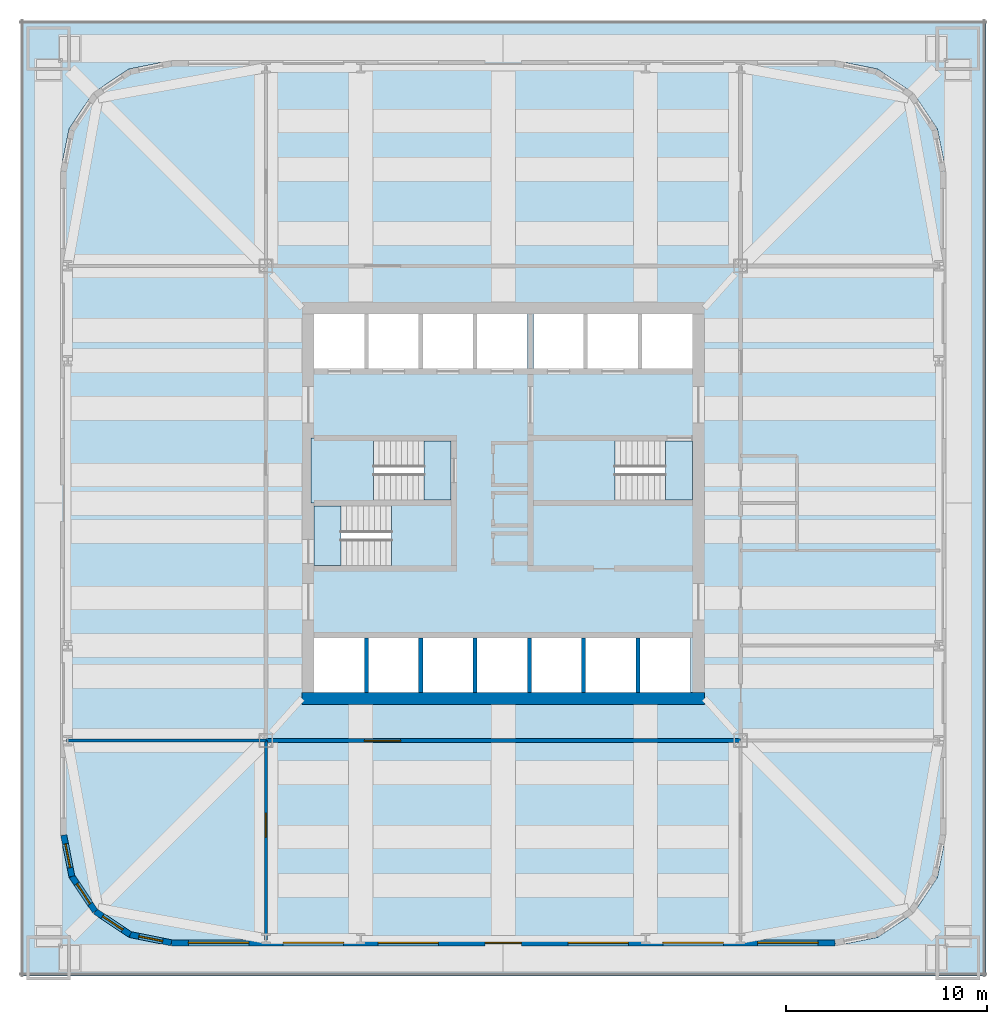
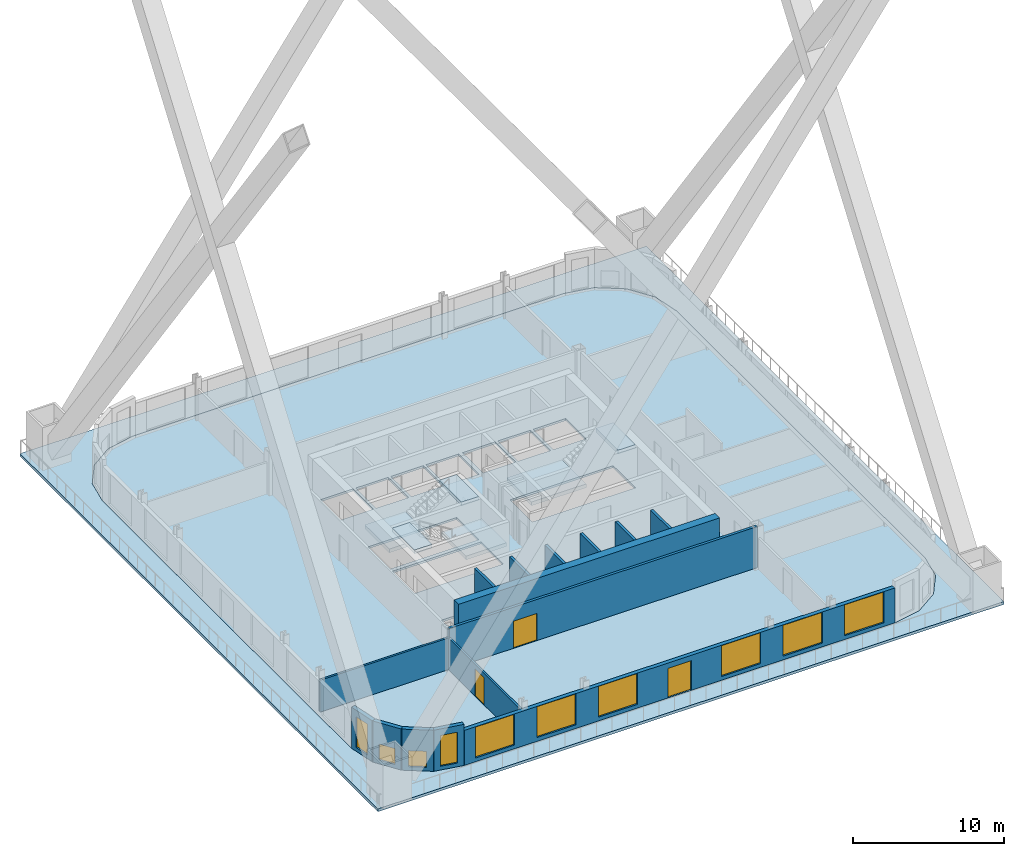
# One storey, part 2 of 7: 15 walls, 10 windows, 8 slabs, 3 doors, 13 openings, 3 elements without a shape of their own.
"""IFC4 building model written with IfcOpenShell, lengths in metres."""

from ifc_helpers import new_model, si_unit, direction, frame, frame_2d, origin, place, context, subcontext, project, spatial, polyline, rectangle, outline, extrude, material, layer, layer_set, type_object, element, fill, aggregate, save


model = new_model("IFC4")

# Units and contexts
model_context = context("Model", 3, precision=1e-05, world=origin(), true_north=direction((0.0, 1.0)))
body_context = subcontext(model_context, "Body", "Model", "MODEL_VIEW")
ifc_project = project(units=[si_unit("LENGTHUNIT", "METRE"), si_unit("AREAUNIT", "SQUARE_METRE"), si_unit("VOLUMEUNIT", "CUBIC_METRE"), si_unit("PLANEANGLEUNIT", "RADIAN"), si_unit("MASSUNIT", "GRAM", prefix="KILO")], contexts=[model_context])

# Site, building, storey
site_placement = place(None, origin())
site = spatial("IfcSite", under=ifc_project, at=site_placement, CompositionType="ELEMENT")
building_placement = place(site_placement, origin())
building = spatial("IfcBuilding", under=site, at=building_placement, Name="Turquesa Mirador Hotel Tower", CompositionType="ELEMENT")
storey_placement = place(building_placement, frame((0.0, 0.0, 25.0)))
storey = spatial("IfcBuildingStorey", under=building, at=storey_placement, Name="L05", CompositionType="ELEMENT", Elevation=25.0)

# Slab
ifc_material_1 = material(Name="Concrete C28/35", Category="concrete")
ifc_layer_1 = layer(ifc_material_1, 0.169921875)
ifc_layer_set_1 = layer_set([ifc_layer_1], Name="COMPOSITE FLOOR SLAB 170")
slab_type_1 = type_object("IfcSlabType", Name="COMPOSITE FLOOR SLAB 170", PredefinedType="FLOOR", material=ifc_layer_set_1)
slab_1_placement = place(storey_placement, frame((0.0, 0.0, -0.169921875)))
element("IfcSlab", 1, at=slab_1_placement, inside=storey, type_object=slab_type_1, Name="Floor slab L05", PredefinedType="FLOOR", context=body_context, shape_type="SweptSolid", body=[
    extrude(outline(polyline([(71.5, 23.0), (73.604736328125, 23.418701171875), (75.38916015625, 24.61083984375), (76.581298828125, 26.395263671875), (77.0, 28.5), (77.0, 61.5), (76.581298828125, 63.604736328125), (75.38916015625, 65.38916015625), (73.604736328125, 66.581298828125), (71.5, 67.0), (38.5, 67.0), (36.395263671875, 66.581298828125), (34.61083984375, 65.38916015625), (33.418701171875, 63.604736328125), (33.0, 61.5), (33.0, 28.5), (33.418701171875, 26.395263671875), (34.61083984375, 24.61083984375), (36.395263671875, 23.418701171875), (38.5, 23.0), (71.5, 23.0)]), holes=[polyline([(45.60009765625, 51.699951171875), (48.10009765625, 51.699951171875), (48.10009765625, 54.39990234375), (45.60009765625, 54.39990234375), (45.60009765625, 51.699951171875)]), polyline([(48.300048828125, 51.699951171875), (50.800048828125, 51.699951171875), (50.800048828125, 54.39990234375), (48.300048828125, 54.39990234375), (48.300048828125, 51.699951171875)]), polyline([(51.0, 51.699951171875), (53.5, 51.699951171875), (53.5, 54.39990234375), (51.0, 54.39990234375), (51.0, 51.699951171875)]), polyline([(53.699951171875, 51.699951171875), (56.199951171875, 51.699951171875), (56.199951171875, 54.39990234375), (53.699951171875, 54.39990234375), (53.699951171875, 51.699951171875)]), polyline([(56.5, 51.699951171875), (59.0, 51.699951171875), (59.0, 54.39990234375), (56.5, 54.39990234375), (56.5, 51.699951171875)]), polyline([(59.199951171875, 51.699951171875), (61.699951171875, 51.699951171875), (61.699951171875, 54.39990234375), (59.199951171875, 54.39990234375), (59.199951171875, 51.699951171875)]), polyline([(45.60009765625, 35.60009765625), (48.10009765625, 35.60009765625), (48.10009765625, 38.300048828125), (45.60009765625, 38.300048828125), (45.60009765625, 35.60009765625)]), polyline([(48.300048828125, 35.60009765625), (50.800048828125, 35.60009765625), (50.800048828125, 38.300048828125), (48.300048828125, 38.300048828125), (48.300048828125, 35.60009765625)]), polyline([(51.0, 35.60009765625), (53.5, 35.60009765625), (53.5, 38.300048828125), (51.0, 38.300048828125), (51.0, 35.60009765625)]), polyline([(53.699951171875, 35.60009765625), (56.199951171875, 35.60009765625), (56.199951171875, 38.300048828125), (53.699951171875, 38.300048828125), (53.699951171875, 35.60009765625)]), polyline([(56.39990234375, 35.60009765625), (58.89990234375, 35.60009765625), (58.89990234375, 38.300048828125), (56.39990234375, 38.300048828125), (56.39990234375, 35.60009765625)]), polyline([(59.10009765625, 35.60009765625), (61.60009765625, 35.60009765625), (61.60009765625, 38.300048828125), (59.10009765625, 38.300048828125), (59.10009765625, 35.60009765625)]), polyline([(61.800048828125, 35.60009765625), (64.300048828125, 35.60009765625), (64.300048828125, 38.300048828125), (61.800048828125, 38.300048828125), (61.800048828125, 35.60009765625)]), polyline([(45.60009765625, 45.14990234375), (52.39990234375, 45.14990234375), (52.39990234375, 48.10009765625), (45.60009765625, 48.10009765625), (45.60009765625, 45.14990234375)]), polyline([(45.60009765625, 41.89990234375), (52.39990234375, 41.89990234375), (52.39990234375, 44.85009765625), (45.60009765625, 44.85009765625), (45.60009765625, 41.89990234375)]), polyline([(56.5, 45.14990234375), (64.39990234375, 45.14990234375), (64.39990234375, 48.10009765625), (56.5, 48.10009765625), (56.5, 45.14990234375)]), polyline([(61.89990234375, 51.699951171875), (64.39990234375, 51.699951171875), (64.39990234375, 54.39990234375), (61.89990234375, 54.39990234375), (61.89990234375, 51.699951171875)])]), origin(), (0.0, 0.0, 1.0), 0.169921875),
])

# Stair, slabs
ifc_material_2 = material(Name="Concrete C35/45", Category="concrete")
stair_type = type_object("IfcStairType", Name="ESCAPE STAIR CORE", PredefinedType="HALF_TURN_STAIR", material=ifc_material_2)
stair_1_placement = place(storey_placement, origin())
stair_1 = element("IfcStair", 2, at=stair_1_placement, inside=storey, type_object=stair_type, Name="Stair ST1 L05 to L06", PredefinedType="HALF_TURN_STAIR")
ifc_material_3 = material(Name="Concrete C35/45", Category="concrete")
ifc_layer_2 = layer(ifc_material_3, 0.300048828125)
ifc_layer_set_2 = layer_set([ifc_layer_2], Name="STAIR LANDING 300")
slab_type_2 = type_object("IfcSlabType", Name="STAIR LANDING 300", PredefinedType="LANDING", material=ifc_layer_set_2)
slab_2_placement = place(storey_placement, frame((0.0, 0.0, 1.449951171875)))
slab_2 = element("IfcSlab", 3, at=slab_2_placement, type_object=slab_type_2, Name="ST1 landing 1", PredefinedType="LANDING", context=body_context, shape_type="SweptSolid", body=[
    extrude(outline(polyline([(45.449951171875, 45.0), (48.550048828125, 45.0), (48.550048828125, 48.25), (45.449951171875, 48.25), (45.449951171875, 45.0)])), origin(), (0.0, 0.0, 1.0), 0.300048828125),
])
slab_3_placement = place(storey_placement, frame((0.0, 0.0, 3.199951171875)))
slab_3 = element("IfcSlab", 4, at=slab_3_placement, type_object=slab_type_2, Name="ST1 landing 2", PredefinedType="LANDING", context=body_context, shape_type="SweptSolid", body=[
    extrude(outline(polyline([(51.070068359375, 45.14990234375), (52.39990234375, 45.14990234375), (52.39990234375, 48.10009765625), (51.070068359375, 48.10009765625), (51.070068359375, 45.14990234375)])), origin(), (0.0, 0.0, 1.0), 0.300048828125),
])
aggregate(stair_1, [slab_2, slab_3])

stair_2_placement = place(storey_placement, origin())
stair_2 = element("IfcStair", 5, at=stair_2_placement, inside=storey, type_object=stair_type, Name="Stair ST2 L05 to L06", PredefinedType="HALF_TURN_STAIR")
slab_4_placement = place(storey_placement, frame((0.0, 0.0, 1.449951171875)))
slab_4 = element("IfcSlab", 6, at=slab_4_placement, type_object=slab_type_2, Name="ST2 landing 1", PredefinedType="LANDING", context=body_context, shape_type="SweptSolid", body=[
    extrude(outline(polyline([(52.550048828125, 45.0), (49.449951171875, 45.0), (49.449951171875, 41.75), (52.550048828125, 41.75), (52.550048828125, 45.0)])), origin(), (0.0, 0.0, 1.0), 0.300048828125),
])
slab_5_placement = place(storey_placement, frame((0.0, 0.0, 3.199951171875)))
slab_5 = element("IfcSlab", 7, at=slab_5_placement, type_object=slab_type_2, Name="ST2 landing 2", PredefinedType="LANDING", context=body_context, shape_type="SweptSolid", body=[
    extrude(outline(polyline([(46.929931640625, 44.85009765625), (45.60009765625, 44.85009765625), (45.60009765625, 41.89990234375), (46.929931640625, 41.89990234375), (46.929931640625, 44.85009765625)])), origin(), (0.0, 0.0, 1.0), 0.300048828125),
])
aggregate(stair_2, [slab_4, slab_5])

stair_3_placement = place(storey_placement, origin())
stair_3 = element("IfcStair", 8, at=stair_3_placement, inside=storey, type_object=stair_type, Name="Stair ST3 L05 to L06", PredefinedType="HALF_TURN_STAIR")
slab_6_placement = place(storey_placement, frame((0.0, 0.0, 1.449951171875)))
slab_6 = element("IfcSlab", 9, at=slab_6_placement, type_object=slab_type_2, Name="ST3 landing 1", PredefinedType="LANDING", context=body_context, shape_type="SweptSolid", body=[
    extrude(outline(polyline([(56.35009765625, 45.0), (60.550048828125, 45.0), (60.550048828125, 48.25), (56.35009765625, 48.25), (56.35009765625, 45.0)])), origin(), (0.0, 0.0, 1.0), 0.300048828125),
])
slab_7_placement = place(storey_placement, frame((0.0, 0.0, 3.199951171875)))
slab_7 = element("IfcSlab", 10, at=slab_7_placement, type_object=slab_type_2, Name="ST3 landing 2", PredefinedType="LANDING", context=body_context, shape_type="SweptSolid", body=[
    extrude(outline(polyline([(63.070068359375, 45.14990234375), (64.39990234375, 45.14990234375), (64.39990234375, 48.10009765625), (63.070068359375, 48.10009765625), (63.070068359375, 45.14990234375)])), origin(), (0.0, 0.0, 1.0), 0.300048828125),
])
aggregate(stair_3, [slab_6, slab_7])

# Slab
ifc_material_4 = material(Name="Concrete C35/45 with stone paving", Category="masonry")
ifc_layer_3 = layer(ifc_material_4, 0.219970703125)
ifc_layer_set_3 = layer_set([ifc_layer_3], Name="TERRACE SLAB 220")
slab_type_3 = type_object("IfcSlabType", Name="TERRACE SLAB 220", PredefinedType="ROOF", material=ifc_layer_set_3)
slab_8_placement = place(storey_placement, frame((0.0, 0.0, -0.219970703125)))
element("IfcSlab", 11, at=slab_8_placement, inside=storey, type_object=slab_type_3, Name="Garden terrace", PredefinedType="ROOF", context=body_context, shape_type="SweptSolid", body=[
    extrude(outline(polyline([(31.0, 21.5), (31.0, 69.0), (79.0, 69.0), (79.0, 21.5), (31.0, 21.5)]), holes=[polyline([(73.604736328125, 23.418701171875), (75.38916015625, 24.61083984375), (76.581298828125, 26.395263671875), (77.0, 28.5), (77.0, 61.5), (76.581298828125, 63.604736328125), (75.38916015625, 65.38916015625), (73.604736328125, 66.581298828125), (71.5, 67.0), (38.5, 67.0), (36.395263671875, 66.581298828125), (34.61083984375, 65.38916015625), (33.418701171875, 63.604736328125), (33.0, 61.5), (33.0, 28.5), (33.418701171875, 26.395263671875), (34.61083984375, 24.61083984375), (36.395263671875, 23.418701171875), (38.5, 23.0), (71.5, 23.0), (73.604736328125, 23.418701171875)])]), origin(), (0.0, 0.0, 1.0), 0.219970703125),
])

# Wall
ifc_material_5 = material(Name="Concrete C50/60", Category="concrete")
ifc_layer_4 = layer(ifc_material_5, 0.60009765625)
ifc_layer_set_4 = layer_set([ifc_layer_4], Name="CORE WALL 600")
wall_type_1 = type_object("IfcWallType", Name="CORE WALL 600", PredefinedType="SHEAR", material=ifc_layer_set_4)
wall_1_placement = place(storey_placement, frame((45.0, 35.300048828125, 0.0), z_axis=(0.0, 0.0, 1.0), x_axis=(1.0, 0.0, 0.0)))
element("IfcWall", 12, at=wall_1_placement, inside=storey, type_object=wall_type_1, Name="Core wall S", PredefinedType="SHEAR", context=body_context, shape_type="SweptSolid", body=[
    extrude(rectangle(XDim=20.0, YDim=0.60009765625, at=frame_2d((10.0, 0.0))), origin(), (0.0, 0.0, 1.0), 3.5),
])

# Wall, opening, door
ifc_material_6 = material(Name="Fire-rated gypsum board on steel studs", Category="steel")
ifc_layer_5 = layer(ifc_material_6, 0.199951171875)
ifc_layer_set_5 = layer_set([ifc_layer_5], Name="CORRIDOR WALL 200")
wall_type_2 = type_object("IfcWallType", Name="CORRIDOR WALL 200", PredefinedType="PARTITIONING", material=ifc_layer_set_5)
wall_2_placement = place(storey_placement, frame((43.199951171875, 33.199951171875, 0.0), z_axis=(0.0, 0.0, 1.0), x_axis=(1.0, 0.0, 0.0)))
wall_2 = element("IfcWall", 13, at=wall_2_placement, inside=storey, type_object=wall_type_2, Name="Partition L05 001", PredefinedType="PARTITIONING", context=body_context, shape_type="SweptSolid", body=[
    extrude(rectangle(XDim=23.60009765625, YDim=0.199951171875, at=frame_2d((11.800048828125, 0.0))), origin(), (0.0, 0.0, 1.0), 3.330078125),
])
opening_1_placement = place(wall_2_placement, frame((4.89990234375, 0.0, 0.0)))
opening_1 = element("IfcOpeningElement", 14, at=opening_1_placement, cuts=wall_2, Name="Opening D04", PredefinedType="OPENING", context=body_context, shape_type="SweptSolid", body=[
    extrude(rectangle(XDim=1.800048828125, YDim=2.199951171875, at=frame_2d((0.89990234375, 1.10009765625))), frame((0.0, 0.10986328125, 0.0), z_axis=(0.0, -1.0, 0.0), x_axis=(1.0, 0.0, 0.0)), (0.0, 0.0, 1.0), 0.219970703125),
])
ifc_material_7 = material(Name="Steel fire door pair", Category="steel")
door_type_1 = type_object("IfcDoorType", Name="DOOR 1800X2200 PAIR", OperationType="DOUBLE_DOOR_SINGLE_SWING", PredefinedType="DOOR", material=ifc_material_7)
door_1_placement = place(opening_1_placement, origin())
door_1 = element("IfcDoor", 15, at=door_1_placement, inside=storey, type_object=door_type_1, Name="Door L05-02", OperationType="DOUBLE_DOOR_SINGLE_SWING", OverallHeight=2.199951171875, OverallWidth=1.800048828125, PredefinedType="DOOR", context=body_context, shape_type="SweptSolid", body=[
    extrude(rectangle(XDim=1.800048828125, YDim=2.199951171875, at=frame_2d((0.89990234375, 1.10009765625))), frame((0.0, 0.02490234375, 0.0), z_axis=(0.0, -1.0, 0.0), x_axis=(1.0, 0.0, 0.0)), (0.0, 0.0, 1.0), 0.050048828125),
])
fill(opening_1, door_1)

# Wall, opening, window
ifc_material_8 = material(Name="Limestone cladding on concrete block", Category="masonry")
ifc_layer_6 = layer(ifc_material_8, 0.300048828125)
ifc_layer_set_6 = layer_set([ifc_layer_6], Name="FACADE WALL 300 STONE SCREEN")
wall_type_3 = type_object("IfcWallType", Name="FACADE WALL 300 STONE SCREEN", PredefinedType="SOLIDWALL", material=ifc_layer_set_6)
wall_3_placement = place(storey_placement, frame((33.14990234375, 28.5, 0.0), z_axis=(0.0, 0.0, 1.0), x_axis=(0.195081421501, -0.980787050784, 0.0)))
wall_3 = element("IfcWall", 16, at=wall_3_placement, inside=storey, type_object=wall_type_3, Name="Facade wall L05 15", PredefinedType="SOLIDWALL", context=body_context, shape_type="SweptSolid", body=[
    extrude(rectangle(XDim=2.08740234375, YDim=0.300048828125, at=frame_2d((1.043701171875, 0.0))), origin(), (0.0, 0.0, 1.0), 3.330078125),
])
opening_2_placement = place(wall_3_placement, frame((0.443603515625, 0.0, 0.300048828125)))
opening_2 = element("IfcOpeningElement", 17, at=opening_2_placement, cuts=wall_3, Name="Opening WN6", PredefinedType="OPENING", context=body_context, shape_type="SweptSolid", body=[
    extrude(rectangle(XDim=1.199951171875, YDim=2.5, at=frame_2d((0.60009765625, 1.25))), frame((0.0, 0.159912109375, 0.0), z_axis=(0.0, -1.0, 0.0), x_axis=(1.0, 0.0, 0.0)), (0.0, 0.0, 1.0), 0.320068359375),
])
ifc_material_9 = material(Name="Ceramic-fritted laminated glass", Category="glass")
window_type_1 = type_object("IfcWindowType", Name="AMENITY CORNER WINDOW 1200X2500", PartitioningType="SINGLE_PANEL", PredefinedType="WINDOW", material=ifc_material_9)
window_1_placement = place(opening_2_placement, origin())
window_1 = element("IfcWindow", 18, at=window_1_placement, inside=storey, type_object=window_type_1, Name="Window L05", OverallHeight=2.5, OverallWidth=1.199951171875, PartitioningType="SINGLE_PANEL", PredefinedType="WINDOW", context=body_context, shape_type="SweptSolid", body=[
    extrude(rectangle(XDim=1.199951171875, YDim=2.5, at=frame_2d((0.60009765625, 1.25))), frame((0.0, 0.030029296875, 0.0), z_axis=(0.0, -1.0, 0.0), x_axis=(1.0, 0.0, 0.0)), (0.0, 0.0, 1.0), 0.06005859375),
])
fill(opening_2, window_1)

wall_4_placement = place(storey_placement, frame((33.55712890625, 26.45263671875, 0.0), z_axis=(0.0, 0.0, 1.0), x_axis=(0.555644460423, -0.831420010345, 0.0)))
wall_4 = element("IfcWall", 19, at=wall_4_placement, inside=storey, type_object=wall_type_3, Name="Facade wall L05 16", PredefinedType="SOLIDWALL", context=body_context, shape_type="SweptSolid", body=[
    extrude(rectangle(XDim=2.08740234375, YDim=0.300048828125, at=frame_2d((1.043701171875, 0.0))), origin(), (0.0, 0.0, 1.0), 3.330078125),
])
opening_3_placement = place(wall_4_placement, frame((0.443603515625, 0.0, 0.300048828125)))
opening_3 = element("IfcOpeningElement", 20, at=opening_3_placement, cuts=wall_4, Name="Opening WN9", PredefinedType="OPENING", context=body_context, shape_type="SweptSolid", body=[
    extrude(rectangle(XDim=1.199951171875, YDim=1.300048828125, at=frame_2d((0.60009765625, 0.64990234375))), frame((0.0, 0.159912109375, 0.0), z_axis=(0.0, -1.0, 0.0), x_axis=(1.0, 0.0, 0.0)), (0.0, 0.0, 1.0), 0.320068359375),
])
ifc_material_10 = material(Name="Ceramic-fritted laminated glass", Category="glass")
window_type_2 = type_object("IfcWindowType", Name="AMENITY CORNER WINDOW 1200X1300", PartitioningType="SINGLE_PANEL", PredefinedType="WINDOW", material=ifc_material_10)
window_2_placement = place(opening_3_placement, origin())
window_2 = element("IfcWindow", 21, at=window_2_placement, inside=storey, type_object=window_type_2, Name="Window L05", OverallHeight=1.300048828125, OverallWidth=1.199951171875, PartitioningType="SINGLE_PANEL", PredefinedType="WINDOW", context=body_context, shape_type="SweptSolid", body=[
    extrude(rectangle(XDim=1.199951171875, YDim=1.300048828125, at=frame_2d((0.60009765625, 0.64990234375))), frame((0.0, 0.030029296875, 0.0), z_axis=(0.0, -1.0, 0.0), x_axis=(1.0, 0.0, 0.0)), (0.0, 0.0, 1.0), 0.06005859375),
])
fill(opening_3, window_2)

wall_5_placement = place(storey_placement, frame((34.717041015625, 24.717041015625, 0.0), z_axis=(0.0, 0.0, 1.0), x_axis=(0.831420010345, -0.555644460423, 0.0)))
wall_5 = element("IfcWall", 22, at=wall_5_placement, inside=storey, type_object=wall_type_3, Name="Facade wall L05 17", PredefinedType="SOLIDWALL", context=body_context, shape_type="SweptSolid", body=[
    extrude(rectangle(XDim=2.08740234375, YDim=0.300048828125, at=frame_2d((1.043701171875, 0.0))), origin(), (0.0, 0.0, 1.0), 3.330078125),
])
opening_4_placement = place(wall_5_placement, frame((0.443603515625, 0.0, 0.300048828125)))
opening_4 = element("IfcOpeningElement", 23, at=opening_4_placement, cuts=wall_5, Name="Opening WN9", PredefinedType="OPENING", context=body_context, shape_type="SweptSolid", body=[
    extrude(rectangle(XDim=1.199951171875, YDim=1.300048828125, at=frame_2d((0.60009765625, 0.64990234375))), frame((0.0, 0.159912109375, 0.0), z_axis=(0.0, -1.0, 0.0), x_axis=(1.0, 0.0, 0.0)), (0.0, 0.0, 1.0), 0.320068359375),
])
window_3_placement = place(opening_4_placement, origin())
window_3 = element("IfcWindow", 24, at=window_3_placement, inside=storey, type_object=window_type_2, Name="Window L05", OverallHeight=1.300048828125, OverallWidth=1.199951171875, PartitioningType="SINGLE_PANEL", PredefinedType="WINDOW", context=body_context, shape_type="SweptSolid", body=[
    extrude(rectangle(XDim=1.199951171875, YDim=1.300048828125, at=frame_2d((0.60009765625, 0.64990234375))), frame((0.0, 0.030029296875, 0.0), z_axis=(0.0, -1.0, 0.0), x_axis=(1.0, 0.0, 0.0)), (0.0, 0.0, 1.0), 0.06005859375),
])
fill(opening_4, window_3)

wall_6_placement = place(storey_placement, frame((36.45263671875, 23.55712890625, 0.0), z_axis=(0.0, 0.0, 1.0), x_axis=(0.980787050784, -0.195081421501, 0.0)))
wall_6 = element("IfcWall", 25, at=wall_6_placement, inside=storey, type_object=wall_type_3, Name="Facade wall L05 18", PredefinedType="SOLIDWALL", context=body_context, shape_type="SweptSolid", body=[
    extrude(rectangle(XDim=2.08740234375, YDim=0.300048828125, at=frame_2d((1.043701171875, 0.0))), origin(), (0.0, 0.0, 1.0), 3.330078125),
])
opening_5_placement = place(wall_6_placement, frame((0.443603515625, 0.0, 0.300048828125)))
opening_5 = element("IfcOpeningElement", 26, at=opening_5_placement, cuts=wall_6, Name="Opening WN6", PredefinedType="OPENING", context=body_context, shape_type="SweptSolid", body=[
    extrude(rectangle(XDim=1.199951171875, YDim=2.5, at=frame_2d((0.60009765625, 1.25))), frame((0.0, 0.159912109375, 0.0), z_axis=(0.0, -1.0, 0.0), x_axis=(1.0, 0.0, 0.0)), (0.0, 0.0, 1.0), 0.320068359375),
])
window_4_placement = place(opening_5_placement, origin())
window_4 = element("IfcWindow", 27, at=window_4_placement, inside=storey, type_object=window_type_1, Name="Window L05", OverallHeight=2.5, OverallWidth=1.199951171875, PartitioningType="SINGLE_PANEL", PredefinedType="WINDOW", context=body_context, shape_type="SweptSolid", body=[
    extrude(rectangle(XDim=1.199951171875, YDim=2.5, at=frame_2d((0.60009765625, 1.25))), frame((0.0, 0.030029296875, 0.0), z_axis=(0.0, -1.0, 0.0), x_axis=(1.0, 0.0, 0.0)), (0.0, 0.0, 1.0), 0.06005859375),
])
fill(opening_5, window_4)

# Wall, openings, windows, door
wall_7_placement = place(storey_placement, frame((38.5, 23.14990234375, 0.0), z_axis=(0.0, 0.0, 1.0), x_axis=(1.0, 0.0, 0.0)))
wall_7 = element("IfcWall", 28, at=wall_7_placement, inside=storey, type_object=wall_type_3, Name="Facade wall L05 19", PredefinedType="SOLIDWALL", context=body_context, shape_type="SweptSolid", body=[
    extrude(rectangle(XDim=33.0, YDim=0.300048828125, at=frame_2d((16.5, 0.0))), origin(), (0.0, 0.0, 1.0), 2.830078125),
])
opening_6_placement = place(wall_7_placement, frame((0.85009765625, 0.0, 0.300048828125)))
opening_6 = element("IfcOpeningElement", 29, at=opening_6_placement, cuts=wall_7, Name="Opening WN5", PredefinedType="OPENING", context=body_context, shape_type="SweptSolid", body=[
    extrude(rectangle(XDim=3.0, YDim=2.5, at=frame_2d((1.5, 1.25))), frame((0.0, 0.159912109375, 0.0), z_axis=(0.0, -1.0, 0.0), x_axis=(1.0, 0.0, 0.0)), (0.0, 0.0, 1.0), 0.320068359375),
])
opening_7_placement = place(wall_7_placement, frame((5.56005859375, 0.0, 0.300048828125)))
opening_7 = element("IfcOpeningElement", 30, at=opening_7_placement, cuts=wall_7, Name="Opening WN5", PredefinedType="OPENING", context=body_context, shape_type="SweptSolid", body=[
    extrude(rectangle(XDim=3.0, YDim=2.5, at=frame_2d((1.5, 1.25))), frame((0.0, 0.159912109375, 0.0), z_axis=(0.0, -1.0, 0.0), x_axis=(1.0, 0.0, 0.0)), (0.0, 0.0, 1.0), 0.320068359375),
])
opening_8_placement = place(wall_7_placement, frame((10.280029296875, 0.0, 0.300048828125)))
opening_8 = element("IfcOpeningElement", 31, at=opening_8_placement, cuts=wall_7, Name="Opening WN5", PredefinedType="OPENING", context=body_context, shape_type="SweptSolid", body=[
    extrude(rectangle(XDim=3.0, YDim=2.5, at=frame_2d((1.5, 1.25))), frame((0.0, 0.159912109375, 0.0), z_axis=(0.0, -1.0, 0.0), x_axis=(1.0, 0.0, 0.0)), (0.0, 0.0, 1.0), 0.320068359375),
])
opening_9_placement = place(wall_7_placement, frame((15.60009765625, 0.0, 0.0)))
opening_9 = element("IfcOpeningElement", 32, at=opening_9_placement, cuts=wall_7, Name="Opening D10", PredefinedType="OPENING", context=body_context, shape_type="SweptSolid", body=[
    extrude(rectangle(XDim=1.800048828125, YDim=2.39990234375, at=frame_2d((0.89990234375, 1.199951171875))), frame((0.0, 0.159912109375, 0.0), z_axis=(0.0, -1.0, 0.0), x_axis=(1.0, 0.0, 0.0)), (0.0, 0.0, 1.0), 0.320068359375),
])
opening_10_placement = place(wall_7_placement, frame((19.719970703125, 0.0, 0.300048828125)))
opening_10 = element("IfcOpeningElement", 33, at=opening_10_placement, cuts=wall_7, Name="Opening WN5", PredefinedType="OPENING", context=body_context, shape_type="SweptSolid", body=[
    extrude(rectangle(XDim=3.0, YDim=2.5, at=frame_2d((1.5, 1.25))), frame((0.0, 0.159912109375, 0.0), z_axis=(0.0, -1.0, 0.0), x_axis=(1.0, 0.0, 0.0)), (0.0, 0.0, 1.0), 0.320068359375),
])
opening_11_placement = place(wall_7_placement, frame((24.43994140625, 0.0, 0.300048828125)))
opening_11 = element("IfcOpeningElement", 34, at=opening_11_placement, cuts=wall_7, Name="Opening WN5", PredefinedType="OPENING", context=body_context, shape_type="SweptSolid", body=[
    extrude(rectangle(XDim=3.0, YDim=2.5, at=frame_2d((1.5, 1.25))), frame((0.0, 0.159912109375, 0.0), z_axis=(0.0, -1.0, 0.0), x_axis=(1.0, 0.0, 0.0)), (0.0, 0.0, 1.0), 0.320068359375),
])
opening_12_placement = place(wall_7_placement, frame((29.14990234375, 0.0, 0.300048828125)))
opening_12 = element("IfcOpeningElement", 35, at=opening_12_placement, cuts=wall_7, Name="Opening WN5", PredefinedType="OPENING", context=body_context, shape_type="SweptSolid", body=[
    extrude(rectangle(XDim=3.0, YDim=2.5, at=frame_2d((1.5, 1.25))), frame((0.0, 0.159912109375, 0.0), z_axis=(0.0, -1.0, 0.0), x_axis=(1.0, 0.0, 0.0)), (0.0, 0.0, 1.0), 0.320068359375),
])
ifc_material_11 = material(Name="Ceramic-fritted laminated glass", Category="glass")
window_type_3 = type_object("IfcWindowType", Name="AMENITY WINDOW 3000X2500", PartitioningType="SINGLE_PANEL", PredefinedType="WINDOW", material=ifc_material_11)
window_5_placement = place(opening_6_placement, origin())
window_5 = element("IfcWindow", 36, at=window_5_placement, inside=storey, type_object=window_type_3, Name="Window L05", OverallHeight=2.5, OverallWidth=3.0, PartitioningType="SINGLE_PANEL", PredefinedType="WINDOW", context=body_context, shape_type="SweptSolid", body=[
    extrude(rectangle(XDim=3.0, YDim=2.5, at=frame_2d((1.5, 1.25))), frame((0.0, 0.030029296875, 0.0), z_axis=(0.0, -1.0, 0.0), x_axis=(1.0, 0.0, 0.0)), (0.0, 0.0, 1.0), 0.06005859375),
])
fill(opening_6, window_5)
window_6_placement = place(opening_7_placement, origin())
window_6 = element("IfcWindow", 37, at=window_6_placement, inside=storey, type_object=window_type_3, Name="Window L05", OverallHeight=2.5, OverallWidth=3.0, PartitioningType="SINGLE_PANEL", PredefinedType="WINDOW", context=body_context, shape_type="SweptSolid", body=[
    extrude(rectangle(XDim=3.0, YDim=2.5, at=frame_2d((1.5, 1.25))), frame((0.0, 0.030029296875, 0.0), z_axis=(0.0, -1.0, 0.0), x_axis=(1.0, 0.0, 0.0)), (0.0, 0.0, 1.0), 0.06005859375),
])
fill(opening_7, window_6)
window_7_placement = place(opening_8_placement, origin())
window_7 = element("IfcWindow", 38, at=window_7_placement, inside=storey, type_object=window_type_3, Name="Window L05", OverallHeight=2.5, OverallWidth=3.0, PartitioningType="SINGLE_PANEL", PredefinedType="WINDOW", context=body_context, shape_type="SweptSolid", body=[
    extrude(rectangle(XDim=3.0, YDim=2.5, at=frame_2d((1.5, 1.25))), frame((0.0, 0.030029296875, 0.0), z_axis=(0.0, -1.0, 0.0), x_axis=(1.0, 0.0, 0.0)), (0.0, 0.0, 1.0), 0.06005859375),
])
fill(opening_8, window_7)
window_8_placement = place(opening_10_placement, origin())
window_8 = element("IfcWindow", 39, at=window_8_placement, inside=storey, type_object=window_type_3, Name="Window L05", OverallHeight=2.5, OverallWidth=3.0, PartitioningType="SINGLE_PANEL", PredefinedType="WINDOW", context=body_context, shape_type="SweptSolid", body=[
    extrude(rectangle(XDim=3.0, YDim=2.5, at=frame_2d((1.5, 1.25))), frame((0.0, 0.030029296875, 0.0), z_axis=(0.0, -1.0, 0.0), x_axis=(1.0, 0.0, 0.0)), (0.0, 0.0, 1.0), 0.06005859375),
])
fill(opening_10, window_8)
window_9_placement = place(opening_11_placement, origin())
window_9 = element("IfcWindow", 40, at=window_9_placement, inside=storey, type_object=window_type_3, Name="Window L05", OverallHeight=2.5, OverallWidth=3.0, PartitioningType="SINGLE_PANEL", PredefinedType="WINDOW", context=body_context, shape_type="SweptSolid", body=[
    extrude(rectangle(XDim=3.0, YDim=2.5, at=frame_2d((1.5, 1.25))), frame((0.0, 0.030029296875, 0.0), z_axis=(0.0, -1.0, 0.0), x_axis=(1.0, 0.0, 0.0)), (0.0, 0.0, 1.0), 0.06005859375),
])
fill(opening_11, window_9)
window_10_placement = place(opening_12_placement, origin())
window_10 = element("IfcWindow", 41, at=window_10_placement, inside=storey, type_object=window_type_3, Name="Window L05", OverallHeight=2.5, OverallWidth=3.0, PartitioningType="SINGLE_PANEL", PredefinedType="WINDOW", context=body_context, shape_type="SweptSolid", body=[
    extrude(rectangle(XDim=3.0, YDim=2.5, at=frame_2d((1.5, 1.25))), frame((0.0, 0.030029296875, 0.0), z_axis=(0.0, -1.0, 0.0), x_axis=(1.0, 0.0, 0.0)), (0.0, 0.0, 1.0), 0.06005859375),
])
fill(opening_12, window_10)
ifc_material_12 = material(Name="Aluminium glazed sliding door", Category="aluminium")
door_type_2 = type_object("IfcDoorType", Name="TERRACE DOOR 1800X2400 GLAZED", OperationType="SLIDING_TO_LEFT", PredefinedType="DOOR", material=ifc_material_12)
door_2_placement = place(opening_9_placement, origin())
door_2 = element("IfcDoor", 42, at=door_2_placement, inside=storey, type_object=door_type_2, Name="Terrace door L05", OperationType="SLIDING_TO_LEFT", OverallHeight=2.39990234375, OverallWidth=1.800048828125, PredefinedType="DOOR", context=body_context, shape_type="SweptSolid", body=[
    extrude(rectangle(XDim=1.800048828125, YDim=2.39990234375, at=frame_2d((0.89990234375, 1.199951171875))), frame((0.0, 0.02490234375, 0.0), z_axis=(0.0, -1.0, 0.0), x_axis=(1.0, 0.0, 0.0)), (0.0, 0.0, 1.0), 0.050048828125),
])
fill(opening_9, door_2)

# Walls
ifc_material_13 = material(Name="Fire-rated gypsum shaft wall on steel studs", Category="steel")
ifc_layer_7 = layer(ifc_material_13, 0.199951171875)
ifc_layer_set_7 = layer_set([ifc_layer_7], Name="LIFT SHAFT DIVIDER 200")
wall_type_4 = type_object("IfcWallType", Name="LIFT SHAFT DIVIDER 200", PredefinedType="PARTITIONING", material=ifc_layer_set_7)
for number, where, z_axis, x_axis, name in (
    (43, (48.199951171875, 35.60009765625, 0.0), (0.0, 0.0, 1.0), (0.0, 1.0, 0.0), "Lift shaft divider"),
    (44, (50.89990234375, 35.60009765625, 0.0), (0.0, 0.0, 1.0), (0.0, 1.0, 0.0), "Lift shaft divider"),
    (45, (53.60009765625, 35.60009765625, 0.0), (0.0, 0.0, 1.0), (0.0, 1.0, 0.0), "Lift shaft divider"),
    (46, (56.300048828125, 35.60009765625, 0.0), (0.0, 0.0, 1.0), (0.0, 1.0, 0.0), "Lift shaft divider"),
    (47, (59.0, 35.60009765625, 0.0), (0.0, 0.0, 1.0), (0.0, 1.0, 0.0), "Lift shaft divider"),
    (48, (61.699951171875, 35.60009765625, 0.0), (0.0, 0.0, 1.0), (0.0, 1.0, 0.0), "Lift shaft divider"),
):
    element("IfcWall", number, at=place(storey_placement, frame(where, z_axis=z_axis, x_axis=x_axis)), inside=storey, type_object=wall_type_4, Name=name, PredefinedType="PARTITIONING", context=body_context, shape_type="SweptSolid", body=[
        extrude(rectangle(XDim=2.699951171875, YDim=0.199951171875, at=frame_2d((1.35009765625, 0.0))), origin(), (0.0, 0.0, 1.0), 3.330078125),
    ])
ifc_material_14 = material(Name="Gypsum board on steel studs", Category="steel")
ifc_layer_8 = layer(ifc_material_14, 0.14990234375)
ifc_layer_set_8 = layer_set([ifc_layer_8], Name="PARTITION 150")
wall_type_5 = type_object("IfcWallType", Name="PARTITION 150", PredefinedType="PARTITIONING", material=ifc_layer_set_8)
wall_8_placement = place(storey_placement, frame((33.300048828125, 33.199951171875, 0.0), z_axis=(0.0, 0.0, 1.0), x_axis=(1.0, 0.0, 0.0)))
element("IfcWall", 49, at=wall_8_placement, inside=storey, type_object=wall_type_5, Name="Partition L05 002", PredefinedType="PARTITIONING", context=body_context, shape_type="SweptSolid", body=[
    extrude(rectangle(XDim=9.89990234375, YDim=0.14990234375, at=frame_2d((4.949951171875, 0.0))), origin(), (0.0, 0.0, 1.0), 2.572998046875),
])

# Wall, opening, door
wall_9_placement = place(storey_placement, frame((43.199951171875, 23.300048828125, 0.0), z_axis=(0.0, 0.0, 1.0), x_axis=(0.0, 1.0, 0.0)))
wall_9 = element("IfcWall", 50, at=wall_9_placement, inside=storey, type_object=wall_type_5, Name="Partition L05 012", PredefinedType="PARTITIONING", context=body_context, shape_type="SweptSolid", body=[
    extrude(rectangle(XDim=9.89990234375, YDim=0.14990234375, at=frame_2d((4.949951171875, 0.0))), origin(), (0.0, 0.0, 1.0), 2.572998046875),
])
opening_13_placement = place(wall_9_placement, frame((5.10009765625, 0.0, 0.0)))
opening_13 = element("IfcOpeningElement", 51, at=opening_13_placement, cuts=wall_9, Name="Opening D09", PredefinedType="OPENING", context=body_context, shape_type="SweptSolid", body=[
    extrude(rectangle(XDim=1.199951171875, YDim=2.199951171875, at=frame_2d((0.60009765625, 1.10009765625))), frame((0.0, 0.0849609375, 0.0), z_axis=(0.0, -1.0, 0.0), x_axis=(1.0, 0.0, 0.0)), (0.0, 0.0, 1.0), 0.169921875),
])
ifc_material_15 = material(Name="Timber door", Category="wood")
door_type_3 = type_object("IfcDoorType", Name="DOOR 1200X2200 OFFICE", OperationType="SINGLE_SWING_LEFT", PredefinedType="DOOR", material=ifc_material_15)
door_3_placement = place(opening_13_placement, origin())
door_3 = element("IfcDoor", 52, at=door_3_placement, inside=storey, type_object=door_type_3, Name="Door L05-07", OperationType="SINGLE_SWING_LEFT", OverallHeight=2.199951171875, OverallWidth=1.199951171875, PredefinedType="DOOR", context=body_context, shape_type="SweptSolid", body=[
    extrude(rectangle(XDim=1.199951171875, YDim=2.199951171875, at=frame_2d((0.60009765625, 1.10009765625))), frame((0.0, 0.02490234375, 0.0), z_axis=(0.0, -1.0, 0.0), x_axis=(1.0, 0.0, 0.0)), (0.0, 0.0, 1.0), 0.050048828125),
])
fill(opening_13, door_3)

save(model, "model.ifc")
